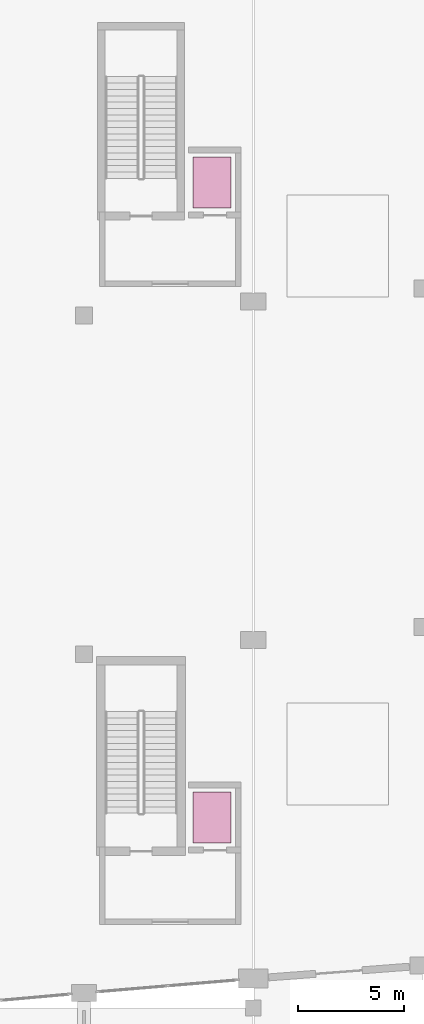
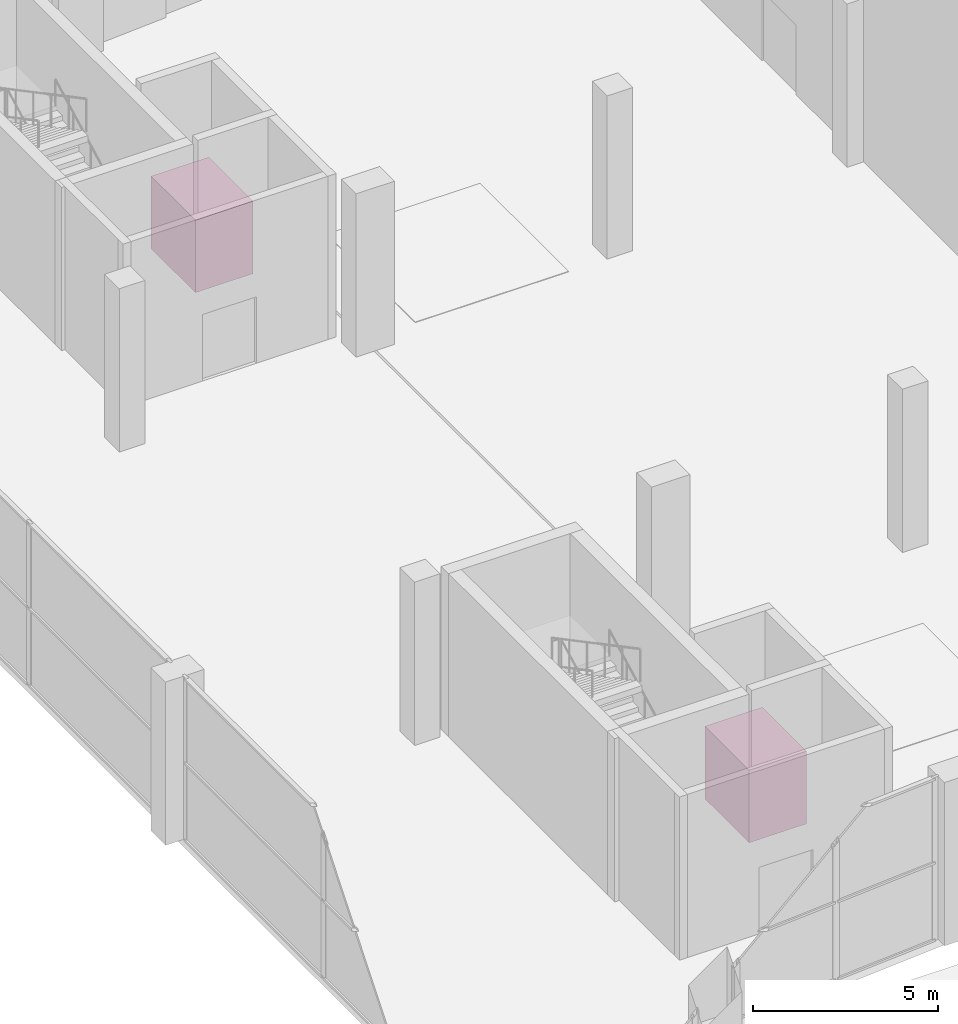
# One storey, part 86 of 86: 2 transport elements.
"""IFC4 building model written with IfcOpenShell, lengths in metres."""

from ifc_helpers import new_model, si_unit, direction, frame, origin, origin_2d, place, context, subcontext, project, spatial, rectangle, extrude, material, type_object, element, save


model = new_model("IFC4")

# Units and contexts
model_context = context("Model", 3, precision=1e-05, world=origin(), true_north=direction((0.0, 1.0)))
body_context = subcontext(model_context, "Body", "Model", "MODEL_VIEW")
ifc_project = project(units=[si_unit("LENGTHUNIT", "METRE"), si_unit("AREAUNIT", "SQUARE_METRE"), si_unit("VOLUMEUNIT", "CUBIC_METRE"), si_unit("PLANEANGLEUNIT", "RADIAN"), si_unit("MASSUNIT", "GRAM", prefix="KILO")], contexts=[model_context])

# Site, building, storey
site_placement = place(None, origin())
site = spatial("IfcSite", under=ifc_project, at=site_placement, CompositionType="ELEMENT")
building_placement = place(site_placement, origin())
building = spatial("IfcBuilding", under=site, at=building_placement, Name="Kenh Van Central Station", CompositionType="ELEMENT")
storey_placement = place(building_placement, origin())
storey = spatial("IfcBuildingStorey", under=building, at=storey_placement, Name="L00", CompositionType="ELEMENT", Elevation=0.0)

# Transport elements
ifc_material = material(Name="Champagne anodised aluminium", Category="aluminium")
transport_element_type = type_object("IfcTransportElementType", Name="LFT-PASS-1800x2400", PredefinedType="ELEVATOR", material=ifc_material)
for number, where, z_axis, x_axis, name in (
    (1, (46.050048828125, 73.0, 0.0), (0.0, 0.0, 1.0), (1.0, 0.0, 0.0), "LIFT-PL1 Island Platform 1 Accessible Lift"),
    (2, (46.050048828125, 103.0, 0.0), (0.0, 0.0, 1.0), (1.0, 0.0, 0.0), "LIFT-PL2 Island Platform 2 Accessible Lift"),
):
    element("IfcTransportElement", number, at=place(storey_placement, frame(where, z_axis=z_axis, x_axis=x_axis)), inside=storey, type_object=transport_element_type, Name=name, PredefinedType="ELEVATOR", context=body_context, shape_type="SweptSolid", body=[
        extrude(rectangle(XDim=1.800048828125, YDim=2.39990234375, at=origin_2d()), origin(), (0.0, 0.0, 1.0), 2.39990234375),
    ])

save(model, "model.ifc")
